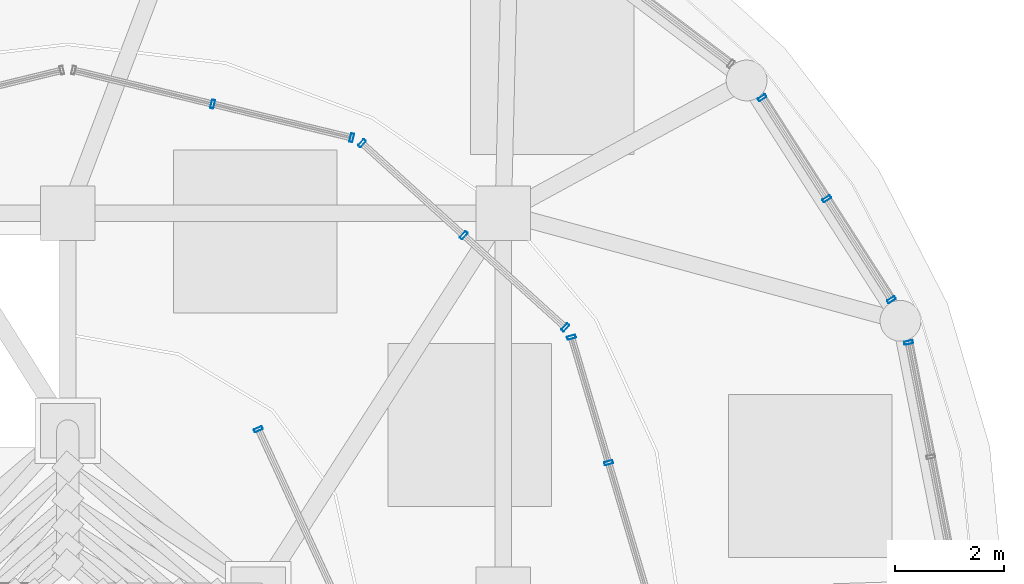
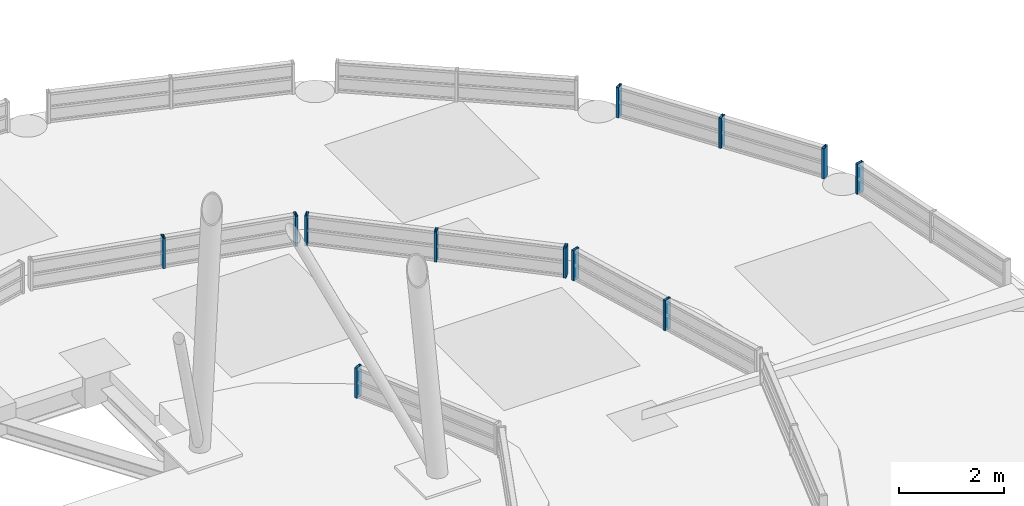
# One storey, part 15 of 21: 12 members, 6 elements without a shape of their own.
"""IFC4 building model written with IfcOpenShell, lengths in metres."""

import ifcopenshell
import ifcopenshell.guid

model = None  # the IFC model being written
_history = None  # IfcOwnerHistory: only IFC2X3 demands one
_inside = {}  # id of a spatial element -> (the spatial element, [elements in it])
_under = {}  # id of a project, library or spatial element -> (it, [spatial elements below it])
_declared = {}  # id of a project -> (the project, [libraries it declares])
_typed = {}  # id of a type object -> (the type object, [elements of that type])
_made_of = {}  # id of a material, layer set ... -> (it, [elements and type objects made of it])


def new_model(schema):
    """Start an empty IFC model of exactly this schema.

    Asked for "IFC4X3", IfcOpenShell would pick the latest addendum, in which some entities
    have other attributes; the version numbers below select the first issue.
    IFC2X3 requires an IfcOwnerHistory on every rooted entity: one is made here for all.
    """
    global model, _history
    if schema == "IFC4X3":
        model = ifcopenshell.file(schema_version=(4, 3, 0, 0))
    else:
        model = ifcopenshell.file(schema=schema)
    _inside.clear()
    _under.clear()
    _declared.clear()
    _typed.clear()
    _made_of.clear()
    _history = None
    if model.schema == "IFC2X3":
        org = make("IfcOrganization", Name="unknown")
        user = make(
            "IfcPersonAndOrganization",
            ThePerson=make("IfcPerson", FamilyName="unknown"),
            TheOrganization=org,
        )
        app = make(
            "IfcApplication",
            ApplicationDeveloper=org,
            Version="unknown",
            ApplicationFullName="unknown",
            ApplicationIdentifier="unknown",
        )
        _history = make(
            "IfcOwnerHistory",
            OwningUser=user,
            OwningApplication=app,
            ChangeAction="ADDED",
            CreationDate=0,
        )
    return model


def make(cls, **values):
    """One entity of the class cls with the attributes given. An attribute that is None is left unset."""
    return model.create_entity(
        cls, **{name: value for name, value in values.items() if value is not None}
    )


def rooted(cls, **values):
    """An entity with a GlobalId (a new one), such as an element, a storey or a relation."""
    return make(cls, GlobalId=ifcopenshell.guid.new(), OwnerHistory=_history, **values)


def si_unit(unit_type, name, prefix=None):
    """IfcSIUnit, for example si_unit("LENGTHUNIT", "METRE", prefix="MILLI")."""
    return make("IfcSIUnit", UnitType=unit_type, Prefix=prefix, Name=name)


def assignment(units):
    """IfcUnitAssignment: the units of a project."""
    return None if units is None else make("IfcUnitAssignment", Units=units)


def point(xyz):
    """IfcCartesianPoint."""
    return None if xyz is None else make("IfcCartesianPoint", Coordinates=xyz)


def direction(xyz):
    """IfcDirection."""
    return None if xyz is None else make("IfcDirection", DirectionRatios=xyz)


def frame(location, z_axis=None, x_axis=None):
    """IfcAxis2Placement3D, a coordinate frame: its origin and axes. An axis left out is left unset."""
    return make(
        "IfcAxis2Placement3D",
        Location=point(location),
        Axis=direction(z_axis),
        RefDirection=direction(x_axis),
    )


def frame_2d(location, x_axis=None):
    """IfcAxis2Placement2D, a coordinate frame in the plane: its origin and x axis."""
    return make(
        "IfcAxis2Placement2D", Location=point(location), RefDirection=direction(x_axis)
    )


def origin():
    """The frame at (0, 0, 0) with its axes left unset."""
    return frame((0.0, 0.0, 0.0))


def origin_2d():
    """The frame at (0, 0) in the plane with its x axis left unset."""
    return frame_2d((0.0, 0.0))


def place(relative_to, where):
    """IfcLocalPlacement: puts the frame where relative to a parent placement (None: the world)."""
    return make(
        "IfcLocalPlacement", PlacementRelTo=relative_to, RelativePlacement=where
    )


def context(
    kind, dimensions, precision=None, world=None, true_north=None, identifier=None
):
    """IfcGeometricRepresentationContext, for example the 3D "Model" context."""
    return make(
        "IfcGeometricRepresentationContext",
        ContextIdentifier=identifier,
        ContextType=kind,
        CoordinateSpaceDimension=dimensions,
        Precision=precision,
        WorldCoordinateSystem=world,
        TrueNorth=true_north,
    )


def subcontext(parent, identifier, kind, view, scale=None):
    """IfcGeometricRepresentationSubContext, for example "Body" below "Model"."""
    return make(
        "IfcGeometricRepresentationSubContext",
        ContextIdentifier=identifier,
        ContextType=kind,
        ParentContext=parent,
        TargetScale=scale,
        TargetView=view,
    )


def project(units=None, contexts=None):
    """IfcProject with its units and contexts."""
    return rooted(
        "IfcProject",
        Name="project",
        RepresentationContexts=contexts,
        UnitsInContext=assignment(units),
    )


def spatial(cls, under=None, at=None, **own):
    """A site, building, storey or space (cls), placed at a placement, below another one or the project."""
    s = rooted(cls, ObjectPlacement=at, **own)
    if under is not None:
        _under.setdefault(under.id(), (under, []))[1].append(s)
    return s


def profile(cls, at=None, kind="AREA", **sizes):
    """A parametric profile (cls). Its sizes go by their IFC names, for example OverallWidth=200.0."""
    return make(cls, ProfileType=kind, Position=at, **sizes)


def hollow_rectangle(**sizes):
    """IfcRectangleHollowProfileDef."""
    return profile("IfcRectangleHollowProfileDef", **sizes)


def extrude(swept, where, along, depth):
    """IfcExtrudedAreaSolid: the profile swept, set in the frame where, extruded along a direction by depth."""
    return make(
        "IfcExtrudedAreaSolid",
        SweptArea=swept,
        Position=where,
        ExtrudedDirection=direction(along),
        Depth=depth,
    )


def shape(context_of_items, identifier, shape_type, items):
    """IfcShapeRepresentation: the items that make up one representation, for example the "Body"."""
    return make(
        "IfcShapeRepresentation",
        ContextOfItems=context_of_items,
        RepresentationIdentifier=identifier,
        RepresentationType=shape_type,
        Items=items,
    )


def material(Name=None, Category=None):
    """IfcMaterial."""
    return make("IfcMaterial", Name=Name, Category=Category)


def layer(
    of_material, thickness, ventilated=None, Name=None, Category=None, Priority=None
):
    """IfcMaterialLayer: one layer of a wall or slab, of a material (None: an air gap)."""
    return make(
        "IfcMaterialLayer",
        Material=of_material,
        LayerThickness=thickness,
        IsVentilated=ventilated,
        Name=Name,
        Category=Category,
        Priority=Priority,
    )


def layer_set(layers, Name=None):
    """IfcMaterialLayerSet."""
    return make("IfcMaterialLayerSet", MaterialLayers=layers, LayerSetName=Name)


def material_profile(
    of_material, cross_section, Name=None, Category=None, Priority=None
):
    """IfcMaterialProfile: a cross section and its material."""
    return make(
        "IfcMaterialProfile",
        Name=Name,
        Material=of_material,
        Profile=cross_section,
        Priority=Priority,
        Category=Category,
    )


def profile_set(profiles, Name=None, composite=None):
    """IfcMaterialProfileSet."""
    return make(
        "IfcMaterialProfileSet",
        Name=Name,
        MaterialProfiles=profiles,
        CompositeProfile=composite,
    )


def made_of(thing, what):
    """Note that an element or type object is made of a material, layer set ...; save() writes the relation."""
    if what is not None:
        _made_of.setdefault(what.id(), (what, []))[1].append(thing)
    return thing


def type_object(cls, material=None, **own):
    """A type object (cls), such as IfcWallType, which elements share."""
    return made_of(rooted(cls, **own), material)


def element(
    cls,
    number,
    at=None,
    inside=None,
    cuts=None,
    type_object=None,
    material=None,
    context=None,
    identifier="Body",
    shape_type=None,
    held_by="IfcProductDefinitionShape",
    body=None,
    shapes=None,
    **own,
):
    """One element of the class cls, such as IfcWall. Its Tag is "e" and its number.

    at: its placement. inside: the storey or other place that contains it. cuts: it is an
    opening in that element (IfcRelVoidsElement). A single representation is given by context,
    identifier, shape_type and body (its items); several are given by shapes. held_by: the class
    of the entity that holds the representations. save() writes the other relations.
    """
    e = rooted(cls, Tag="e%d" % number, ObjectPlacement=at, **own)
    if body is not None:
        shapes = [shape(context, identifier, shape_type, body)]
    if shapes is not None:
        e.Representation = make(held_by, Representations=shapes)
    if inside is not None:
        _inside.setdefault(inside.id(), (inside, []))[1].append(e)
    if cuts is not None:
        rooted(
            "IfcRelVoidsElement", RelatingBuildingElement=cuts, RelatedOpeningElement=e
        )
    if type_object is not None:
        _typed.setdefault(type_object.id(), (type_object, []))[1].append(e)
    return made_of(e, material)


def aggregate(whole, parts):
    """IfcRelAggregates: a whole, such as a stair, and the parts it consists of."""
    return rooted("IfcRelAggregates", RelatingObject=whole, RelatedObjects=parts)


def save(model, path):
    """Write the relations noted so far, then the file.

    IfcRelAggregates (storeys below a building ...), IfcRelContainedInSpatialStructure (elements
    in a storey), IfcRelDefinesByType, IfcRelAssociatesMaterial and IfcRelDeclares: one each for
    every whole, place, type object, material and project.
    """
    for whole, parts in _under.values():
        aggregate(whole, parts)
    for where, things in _inside.values():
        rooted(
            "IfcRelContainedInSpatialStructure",
            RelatedElements=things,
            RelatingStructure=where,
        )
    for kind, things in _typed.values():
        rooted("IfcRelDefinesByType", RelatedObjects=things, RelatingType=kind)
    for what, things in _made_of.values():
        rooted("IfcRelAssociatesMaterial", RelatedObjects=things, RelatingMaterial=what)
    for by, libraries in _declared.values():
        rooted("IfcRelDeclares", RelatingContext=by, RelatedDefinitions=libraries)
    model.write(path)


model = new_model("IFC4")

# Units and contexts
model_context = context("Model", 3, precision=1e-05, world=origin(), true_north=direction((0.0, 1.0)))
body_context = subcontext(model_context, "Body", "Model", "MODEL_VIEW")
ifc_project = project(units=[si_unit("LENGTHUNIT", "METRE"), si_unit("AREAUNIT", "SQUARE_METRE"), si_unit("VOLUMEUNIT", "CUBIC_METRE"), si_unit("PLANEANGLEUNIT", "RADIAN"), si_unit("MASSUNIT", "GRAM", prefix="KILO")], contexts=[model_context])

# Site, building, storey
site_placement = place(None, origin())
site = spatial("IfcSite", under=ifc_project, at=site_placement, CompositionType="ELEMENT")
building_placement = place(site_placement, origin())
building = spatial("IfcBuilding", under=site, at=building_placement, Name="Kelanora Arch Commons", CompositionType="ELEMENT")
storey_placement = place(building_placement, frame((0.0, 0.0, 311.10009765625)))
storey = spatial("IfcBuildingStorey", under=building, at=storey_placement, Name="RF", CompositionType="ELEMENT", Elevation=311.10009765625)

# Curtain wall, member
ifc_material_1 = material(Name="Terracotta ceramic-fritted low-E glass and aluminium", Category="masonry")
ifc_layer = layer(ifc_material_1, 0.14990234375)
ifc_layer_set = layer_set([ifc_layer], Name="Terracotta ceramic-fritted low-E glass and aluminium")
curtain_wall_type = type_object("IfcCurtainWallType", Name="CW-SYS-06", PredefinedType="NOTDEFINED", material=ifc_layer_set)
curtain_wall_1_placement = place(storey_placement, origin())
curtain_wall_1 = element("IfcCurtainWall", 1, at=curtain_wall_1_placement, inside=storey, type_object=curtain_wall_type, Name="Sloped Glass Crown Lantern T1-01", PredefinedType="NOTDEFINED")
ifc_material_2 = material(Name="Powder-coated aluminium terracotta", Category="masonry")
ifc_material_profile = material_profile(ifc_material_2, hollow_rectangle(XDim=0.159912109375, YDim=0.06005859375, WallThickness=0.0048828125, InnerFilletRadius=0.0048828125, OuterFilletRadius=0.010009765625, at=origin_2d()), Name="CWM160x60")
ifc_profile_set = profile_set([ifc_material_profile], Name="Powder-coated aluminium terracotta")
member_type = type_object("IfcMemberType", Name="CWM-STD", PredefinedType="MULLION", material=ifc_profile_set)
member_1_placement = place(storey_placement, frame((89.446533203125, 62.622802734375, 0.58984375), z_axis=(0.0, 0.0, 1.0), x_axis=(-0.98142737239, -0.191834076021, 0.0)))
member_1 = element("IfcMember", 2, at=member_1_placement, type_object=member_type, Name="CW-06 mullion 3", PredefinedType="MULLION", context=body_context, shape_type="SweptSolid", body=[
    extrude(hollow_rectangle(XDim=0.159912109375, YDim=0.06005859375, WallThickness=0.0048828125, InnerFilletRadius=0.0048828125, OuterFilletRadius=0.010009765625, at=origin_2d()), origin(), (0.0, 0.0, 1.0), 0.699951171875),
])
aggregate(curtain_wall_1, [member_1])

# Curtain wall, members
curtain_wall_2_placement = place(storey_placement, origin())
curtain_wall_2 = element("IfcCurtainWall", 3, at=curtain_wall_2_placement, inside=storey, type_object=curtain_wall_type, Name="Sloped Glass Crown Lantern T1-02", PredefinedType="NOTDEFINED")
member_2_placement = place(storey_placement, frame((89.13232421875, 63.406982421875, 0.58984375), z_axis=(0.0, 0.0, 1.0), x_axis=(-0.842271400663, -0.539053696421, 0.0)))
member_2 = element("IfcMember", 4, at=member_2_placement, type_object=member_type, Name="CW-06 mullion 1", PredefinedType="MULLION", context=body_context, shape_type="SweptSolid", body=[
    extrude(hollow_rectangle(XDim=0.159912109375, YDim=0.06005859375, WallThickness=0.0048828125, InnerFilletRadius=0.0048828125, OuterFilletRadius=0.010009765625, at=origin_2d()), origin(), (0.0, 0.0, 1.0), 0.699951171875),
])
member_3_placement = place(storey_placement, frame((87.9443359375, 65.262939453125, 0.58984375), z_axis=(0.0, 0.0, 1.0), x_axis=(-0.842271400663, -0.539053696421, 0.0)))
member_3 = element("IfcMember", 5, at=member_3_placement, type_object=member_type, Name="CW-06 mullion 2", PredefinedType="MULLION", context=body_context, shape_type="SweptSolid", body=[
    extrude(hollow_rectangle(XDim=0.159912109375, YDim=0.06005859375, WallThickness=0.0048828125, InnerFilletRadius=0.0048828125, OuterFilletRadius=0.010009765625, at=origin_2d()), origin(), (0.0, 0.0, 1.0), 0.699951171875),
])
member_4_placement = place(storey_placement, frame((86.756591796875, 67.118896484375, 0.58984375), z_axis=(0.0, 0.0, 1.0), x_axis=(-0.842271400663, -0.539053696421, 0.0)))
member_4 = element("IfcMember", 6, at=member_4_placement, type_object=member_type, Name="CW-06 mullion 3", PredefinedType="MULLION", context=body_context, shape_type="SweptSolid", body=[
    extrude(hollow_rectangle(XDim=0.159912109375, YDim=0.06005859375, WallThickness=0.0048828125, InnerFilletRadius=0.0048828125, OuterFilletRadius=0.010009765625, at=origin_2d()), origin(), (0.0, 0.0, 1.0), 0.699951171875),
])
aggregate(curtain_wall_2, [member_2, member_3, member_4])

curtain_wall_3_placement = place(storey_placement, origin())
curtain_wall_3 = element("IfcCurtainWall", 7, at=curtain_wall_3_placement, inside=storey, type_object=curtain_wall_type, Name="Sloped Glass Crown Lantern T2-01", PredefinedType="NOTDEFINED")
member_5_placement = place(storey_placement, frame((83.9365234375, 60.41259765625, 0.68994140625), z_axis=(0.0, 0.0, 1.0), x_axis=(-0.958953283156, -0.283564103379, 0.0)))
member_5 = element("IfcMember", 8, at=member_5_placement, type_object=member_type, Name="CW-06 mullion 2", PredefinedType="MULLION", context=body_context, shape_type="SweptSolid", body=[
    extrude(hollow_rectangle(XDim=0.159912109375, YDim=0.06005859375, WallThickness=0.0048828125, InnerFilletRadius=0.0048828125, OuterFilletRadius=0.010009765625, at=origin_2d()), origin(), (0.0, 0.0, 1.0), 0.699951171875),
])
member_6_placement = place(storey_placement, frame((83.25439453125, 62.719482421875, 0.68994140625), z_axis=(0.0, 0.0, 1.0), x_axis=(-0.958953283156, -0.283564103379, 0.0)))
member_6 = element("IfcMember", 9, at=member_6_placement, type_object=member_type, Name="CW-06 mullion 3", PredefinedType="MULLION", context=body_context, shape_type="SweptSolid", body=[
    extrude(hollow_rectangle(XDim=0.159912109375, YDim=0.06005859375, WallThickness=0.0048828125, InnerFilletRadius=0.0048828125, OuterFilletRadius=0.010009765625, at=origin_2d()), origin(), (0.0, 0.0, 1.0), 0.699951171875),
])
aggregate(curtain_wall_3, [member_5, member_6])

curtain_wall_4_placement = place(storey_placement, origin())
curtain_wall_4 = element("IfcCurtainWall", 10, at=curtain_wall_4_placement, inside=storey, type_object=curtain_wall_type, Name="Sloped Glass Crown Lantern T2-02", PredefinedType="NOTDEFINED")
member_7_placement = place(storey_placement, frame((83.1416015625, 62.89892578125, 0.68994140625), z_axis=(0.0, 0.0, 1.0), x_axis=(-0.671458868814, -0.741041825736, 0.0)))
member_7 = element("IfcMember", 11, at=member_7_placement, type_object=member_type, Name="CW-06 mullion 1", PredefinedType="MULLION", context=body_context, shape_type="SweptSolid", body=[
    extrude(hollow_rectangle(XDim=0.159912109375, YDim=0.06005859375, WallThickness=0.0048828125, InnerFilletRadius=0.0048828125, OuterFilletRadius=0.010009765625, at=origin_2d()), origin(), (0.0, 0.0, 1.0), 0.699951171875),
])
member_8_placement = place(storey_placement, frame((81.274169921875, 64.591064453125, 0.68994140625), z_axis=(0.0, 0.0, 1.0), x_axis=(-0.671458868814, -0.741041825736, 0.0)))
member_8 = element("IfcMember", 12, at=member_8_placement, type_object=member_type, Name="CW-06 mullion 2", PredefinedType="MULLION", context=body_context, shape_type="SweptSolid", body=[
    extrude(hollow_rectangle(XDim=0.159912109375, YDim=0.06005859375, WallThickness=0.0048828125, InnerFilletRadius=0.0048828125, OuterFilletRadius=0.010009765625, at=origin_2d()), origin(), (0.0, 0.0, 1.0), 0.699951171875),
])
member_9_placement = place(storey_placement, frame((79.406494140625, 66.283203125, 0.68994140625), z_axis=(0.0, 0.0, 1.0), x_axis=(-0.671458868814, -0.741041825736, 0.0)))
member_9 = element("IfcMember", 13, at=member_9_placement, type_object=member_type, Name="CW-06 mullion 3", PredefinedType="MULLION", context=body_context, shape_type="SweptSolid", body=[
    extrude(hollow_rectangle(XDim=0.159912109375, YDim=0.06005859375, WallThickness=0.0048828125, InnerFilletRadius=0.0048828125, OuterFilletRadius=0.010009765625, at=origin_2d()), origin(), (0.0, 0.0, 1.0), 0.699951171875),
])
aggregate(curtain_wall_4, [member_7, member_8, member_9])

curtain_wall_5_placement = place(storey_placement, origin())
curtain_wall_5 = element("IfcCurtainWall", 14, at=curtain_wall_5_placement, inside=storey, type_object=curtain_wall_type, Name="Sloped Glass Crown Lantern T2-03", PredefinedType="NOTDEFINED")
member_10_placement = place(storey_placement, frame((79.21826171875, 66.383056640625, 0.68994140625), z_axis=(0.0, 0.0, 1.0), x_axis=(-0.235930888692, -0.971769836824, 0.0)))
member_10 = element("IfcMember", 15, at=member_10_placement, type_object=member_type, Name="CW-06 mullion 1", PredefinedType="MULLION", context=body_context, shape_type="SweptSolid", body=[
    extrude(hollow_rectangle(XDim=0.159912109375, YDim=0.06005859375, WallThickness=0.0048828125, InnerFilletRadius=0.0048828125, OuterFilletRadius=0.010009765625, at=origin_2d()), origin(), (0.0, 0.0, 1.0), 0.699951171875),
])
member_11_placement = place(storey_placement, frame((76.66259765625, 67.003662109375, 0.68994140625), z_axis=(0.0, 0.0, 1.0), x_axis=(-0.235930888692, -0.971769836824, 0.0)))
member_11 = element("IfcMember", 16, at=member_11_placement, type_object=member_type, Name="CW-06 mullion 2", PredefinedType="MULLION", context=body_context, shape_type="SweptSolid", body=[
    extrude(hollow_rectangle(XDim=0.159912109375, YDim=0.06005859375, WallThickness=0.0048828125, InnerFilletRadius=0.0048828125, OuterFilletRadius=0.010009765625, at=origin_2d()), origin(), (0.0, 0.0, 1.0), 0.699951171875),
])
aggregate(curtain_wall_5, [member_10, member_11])

# Curtain wall, member
curtain_wall_6_placement = place(storey_placement, origin())
curtain_wall_6 = element("IfcCurtainWall", 17, at=curtain_wall_6_placement, inside=storey, type_object=curtain_wall_type, Name="Sloped Glass Crown Lantern T3-01", PredefinedType="NOTDEFINED")
member_12_placement = place(storey_placement, frame((77.50244140625, 61.029541015625, 1.0), z_axis=(0.0, 0.0, 1.0), x_axis=(-0.908037267416, -0.418889389916, 0.0)))
member_12 = element("IfcMember", 18, at=member_12_placement, type_object=member_type, Name="CW-06 mullion 2", PredefinedType="MULLION", context=body_context, shape_type="SweptSolid", body=[
    extrude(hollow_rectangle(XDim=0.159912109375, YDim=0.06005859375, WallThickness=0.0048828125, InnerFilletRadius=0.0048828125, OuterFilletRadius=0.010009765625, at=origin_2d()), origin(), (0.0, 0.0, 1.0), 0.699951171875),
])
aggregate(curtain_wall_6, [member_12])

save(model, "model.ifc")
